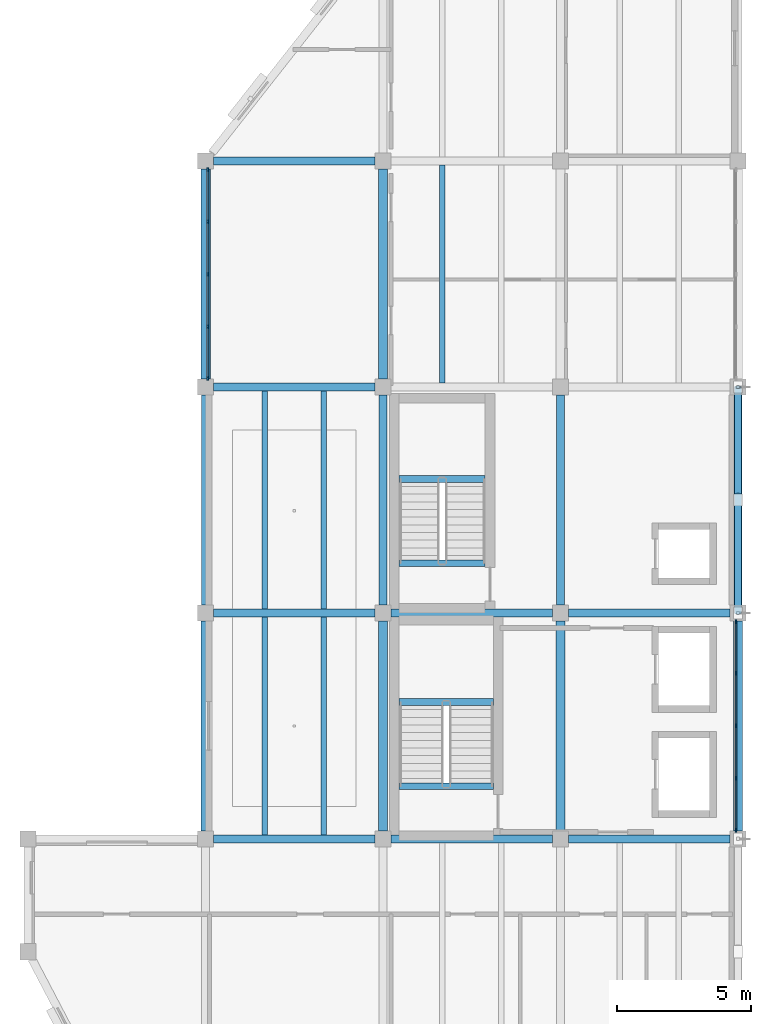
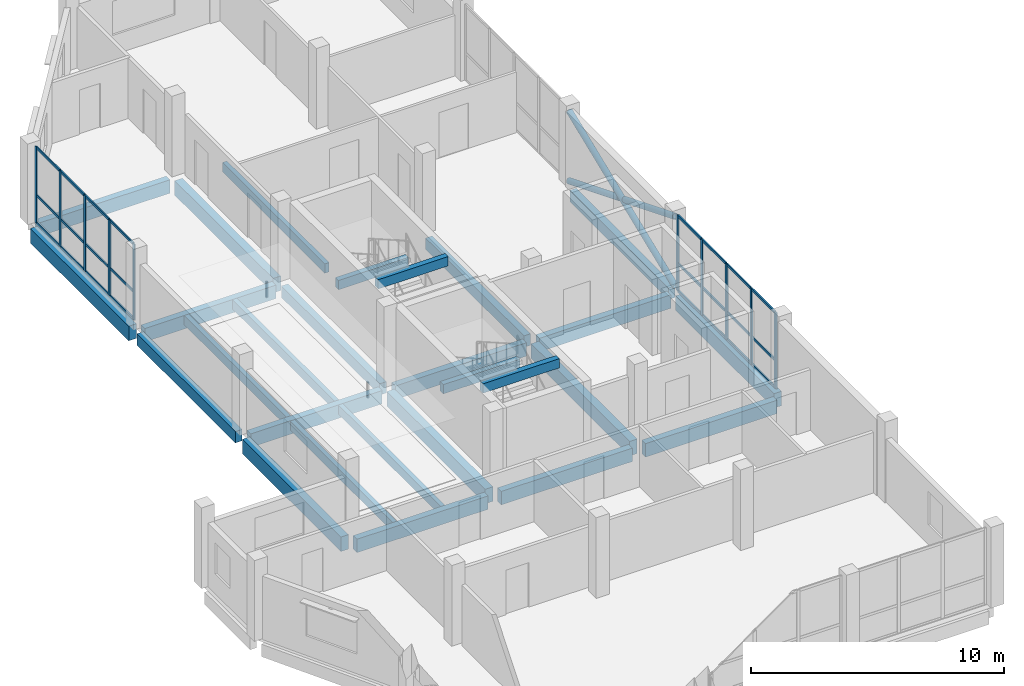
# One storey, part 3 of 12: 37 members, 27 beams, 2 elements without a shape of their own.
"""IFC4 building model written with IfcOpenShell, lengths in metres."""

from ifc_helpers import new_model, si_unit, direction, frame, origin, origin_2d, place, context, subcontext, project, spatial, rectangle, hollow_circle, extrude, material, material_profile, profile_set, type_object, element, aggregate, save


model = new_model("IFC4")

# Units and contexts
model_context = context("Model", 3, precision=1e-05, world=origin(), true_north=direction((0.0, 1.0)))
body_context = subcontext(model_context, "Body", "Model", "MODEL_VIEW")
ifc_project = project(units=[si_unit("LENGTHUNIT", "METRE"), si_unit("AREAUNIT", "SQUARE_METRE"), si_unit("VOLUMEUNIT", "CUBIC_METRE"), si_unit("PLANEANGLEUNIT", "RADIAN"), si_unit("MASSUNIT", "GRAM", prefix="KILO")], contexts=[model_context])

# Site, building, storey
site_placement = place(None, origin())
site = spatial("IfcSite", under=ifc_project, at=site_placement, CompositionType="ELEMENT")
building_placement = place(site_placement, origin())
building = spatial("IfcBuilding", under=site, at=building_placement, Name="Qaldarim Faculty of Natural and Applied Sciences", CompositionType="ELEMENT")
storey_placement = place(building_placement, frame((0.0, 0.0, 35.39990234375)))
storey = spatial("IfcBuildingStorey", under=building, at=storey_placement, Name="L08", CompositionType="ELEMENT", Elevation=35.39990234375)

# Beams
ifc_material_1 = material(Name="Concrete C40/50", Category="concrete")
ifc_material_profile_1 = material_profile(ifc_material_1, rectangle(XDim=0.300048828125, YDim=0.550048828125, at=origin_2d()), Name="RC-B300x550")
ifc_profile_set_1 = profile_set([ifc_material_profile_1], Name="Concrete C40/50")
beam_type_1 = type_object("IfcBeamType", Name="FloorBeam-RC300x550", PredefinedType="BEAM", material=ifc_profile_set_1)
for number, where, z_axis, x_axis, name in (
    (1, (158.39990234375, 25.5, -0.494873046875), (0.0, 1.0, 0.0), (-1.0, 0.0, 0.0), "Beam RC-B300x550 L07 X25/Y04-Y05"),
    (2, (165.0, 25.5, -0.494873046875), (0.0, 1.0, 0.0), (-1.0, 0.0, 0.0), "Beam RC-B300x550 L07 X26/Y04-Y05"),
    (3, (171.60009765625, 25.5, -0.494873046875), (0.0, 1.0, 0.0), (-1.0, 0.0, 0.0), "Beam RC-B300x550 L07 X27/Y04-Y05"),
    (4, (178.199951171875, 25.5, -0.494873046875), (0.0, 1.0, 0.0), (-1.0, 0.0, 0.0), "Beam RC-B300x550 L07 X28/Y04-Y05"),
):
    element("IfcBeam", number, at=place(storey_placement, frame(where, z_axis=z_axis, x_axis=x_axis)), inside=storey, type_object=beam_type_1, Name=name, PredefinedType="BEAM", context=body_context, shape_type="SweptSolid", body=[
        extrude(rectangle(XDim=0.300048828125, YDim=0.550048828125, at=origin_2d()), origin(), (0.0, 0.0, 1.0), 7.800048828125),
    ])
ifc_material_profile_2 = material_profile(ifc_material_1, rectangle(XDim=0.199951171875, YDim=0.449951171875, at=origin_2d()), Name="RC-J200x450")
ifc_profile_set_2 = profile_set([ifc_material_profile_2], Name="Concrete C40/50")
beam_type_2 = type_object("IfcBeamType", Name="LabJoist-RC200x450", PredefinedType="JOIST", material=ifc_profile_set_2)
for number, where, z_axis, x_axis, name in (
    (5, (160.60009765625, 16.949951171875, -0.44482421875), (0.0, 1.0, 0.0), (-1.0, 0.0, 0.0), "Laboratory joist L07 bay X25Y03-1"),
    (6, (162.800048828125, 16.949951171875, -0.44482421875), (0.0, 1.0, 0.0), (-1.0, 0.0, 0.0), "Laboratory joist L07 bay X25Y03-2"),
):
    element("IfcBeam", number, at=place(storey_placement, frame(where, z_axis=z_axis, x_axis=x_axis)), inside=storey, type_object=beam_type_2, Name=name, PredefinedType="JOIST", context=body_context, shape_type="SweptSolid", body=[
        extrude(rectangle(XDim=0.199951171875, YDim=0.449951171875, at=origin_2d()), origin(), (0.0, 0.0, 1.0), 8.10009765625),
    ])
for number, where, z_axis, x_axis, name in (
    (7, (160.60009765625, 25.35009765625, -0.44482421875), (0.0, 1.0, 0.0), (-1.0, 0.0, 0.0), "Laboratory joist L07 bay X25Y04-1"),
    (8, (162.800048828125, 25.35009765625, -0.44482421875), (0.0, 1.0, 0.0), (-1.0, 0.0, 0.0), "Laboratory joist L07 bay X25Y04-2"),
):
    element("IfcBeam", number, at=place(storey_placement, frame(where, z_axis=z_axis, x_axis=x_axis)), inside=storey, type_object=beam_type_2, Name=name, PredefinedType="JOIST", context=body_context, shape_type="SweptSolid", body=[
        extrude(rectangle(XDim=0.199951171875, YDim=0.449951171875, at=origin_2d()), origin(), (0.0, 0.0, 1.0), 8.099853515625),
    ])
beam_1_placement = place(storey_placement, frame((167.199951171875, 33.75, -0.44482421875), z_axis=(0.0, 1.0, 0.0), x_axis=(-1.0, 0.0, 0.0)))
element("IfcBeam", 9, at=beam_1_placement, inside=storey, type_object=beam_type_2, Name="Laboratory joist L07 bay X26Y05-1", PredefinedType="JOIST", context=body_context, shape_type="SweptSolid", body=[
    extrude(rectangle(XDim=0.199951171875, YDim=0.449951171875, at=origin_2d()), origin(), (0.0, 0.0, 1.0), 8.10009765625),
])
ifc_material_profile_3 = material_profile(ifc_material_1, rectangle(XDim=0.25, YDim=0.449951171875, at=origin_2d()), Name="RC-LN250x450")
ifc_profile_set_3 = profile_set([ifc_material_profile_3], Name="Concrete C40/50")
beam_type_3 = type_object("IfcBeamType", Name="LandingSupportBeam-RC250x450", PredefinedType="BEAM", material=ifc_profile_set_3)
for number, where, z_axis, x_axis, name in (
    (10, (165.60009765625, 21.885009765625, 1.51513671875), (1.0, 0.0, 0.0), (0.0, 1.0, 0.0), "Stair landing support beam ST-A1 L08"),
    (11, (165.60009765625, 18.75, 3.455078125), (1.0, 0.0, 0.0), (0.0, 1.0, 0.0), "Stair arrival support beam ST-A1 L08"),
):
    element("IfcBeam", number, at=place(storey_placement, frame(where, z_axis=z_axis, x_axis=x_axis)), inside=storey, type_object=beam_type_3, Name=name, PredefinedType="BEAM", context=body_context, shape_type="SweptSolid", body=[
        extrude(rectangle(XDim=0.25, YDim=0.449951171875, at=origin_2d()), origin(), (0.0, 0.0, 1.0), 3.5),
    ])
for number, where, z_axis, x_axis, name in (
    (12, (165.60009765625, 30.18505859375, 1.51513671875), (1.0, 0.0, 0.0), (0.0, 1.0, 0.0), "Stair landing support beam ST-A2 L08"),
    (13, (165.60009765625, 27.050048828125, 3.455078125), (1.0, 0.0, 0.0), (0.0, 1.0, 0.0), "Stair arrival support beam ST-A2 L08"),
):
    element("IfcBeam", number, at=place(storey_placement, frame(where, z_axis=z_axis, x_axis=x_axis)), inside=storey, type_object=beam_type_3, Name=name, PredefinedType="BEAM", context=body_context, shape_type="SweptSolid", body=[
        extrude(rectangle(XDim=0.25, YDim=0.449951171875, at=origin_2d()), origin(), (0.0, 0.0, 1.0), 3.199951171875),
    ])

# Curtain wall, members
ifc_material_2 = material(Name="Anodised aluminium AW-6063", Category="aluminium")
curtain_wall_type = type_object("IfcCurtainWallType", Name="CurtainWallSystem-M1800", PredefinedType="USERDEFINED", material=ifc_material_2)
curtain_wall_1_placement = place(storey_placement, origin())
curtain_wall_1 = element("IfcCurtainWall", 14, at=curtain_wall_1_placement, inside=storey, type_object=curtain_wall_type, Name="Curtain wall CW-L08-W-X25Y05", ObjectType="UNITISED FACADE", PredefinedType="USERDEFINED")
ifc_material_profile_4 = material_profile(ifc_material_2, rectangle(XDim=0.06005859375, YDim=0.14990234375, at=origin_2d()), Name="ALU-M60x150")
ifc_profile_set_4 = profile_set([ifc_material_profile_4], Name="Anodised aluminium AW-6063")
member_type_1 = type_object("IfcMemberType", Name="Mullion-ALU60x150", PredefinedType="MULLION", material=ifc_profile_set_4)
member_1_placement = place(storey_placement, frame((158.47998046875, 41.675048828125, 0.0), z_axis=(0.0, 0.0, 1.0), x_axis=(1.0, 0.0, 0.0)))
member_1 = element("IfcMember", 15, at=member_1_placement, type_object=member_type_1, Name="Mullion 1 of CW-L08-W-X25Y05", PredefinedType="MULLION", context=body_context, shape_type="SweptSolid", body=[
    extrude(rectangle(XDim=0.06005859375, YDim=0.14990234375, at=origin_2d()), origin(), (0.0, 0.0, 1.0), 3.68017578125),
])
member_2_placement = place(storey_placement, frame((158.47998046875, 39.75244140625, 0.0), z_axis=(0.0, 0.0, 1.0), x_axis=(1.0, 0.0, 0.0)))
member_2 = element("IfcMember", 16, at=member_2_placement, type_object=member_type_1, Name="Mullion 2 of CW-L08-W-X25Y05", PredefinedType="MULLION", context=body_context, shape_type="SweptSolid", body=[
    extrude(rectangle(XDim=0.06005859375, YDim=0.14990234375, at=origin_2d()), origin(), (0.0, 0.0, 1.0), 3.68017578125),
])
member_3_placement = place(storey_placement, frame((158.47998046875, 37.800048828125, 0.0), z_axis=(0.0, 0.0, 1.0), x_axis=(1.0, 0.0, 0.0)))
member_3 = element("IfcMember", 17, at=member_3_placement, type_object=member_type_1, Name="Mullion 3 of CW-L08-W-X25Y05", PredefinedType="MULLION", context=body_context, shape_type="SweptSolid", body=[
    extrude(rectangle(XDim=0.06005859375, YDim=0.14990234375, at=origin_2d()), origin(), (0.0, 0.0, 1.0), 3.68017578125),
])
member_4_placement = place(storey_placement, frame((158.47998046875, 35.847412109375, 0.0), z_axis=(0.0, 0.0, 1.0), x_axis=(1.0, 0.0, 0.0)))
member_4 = element("IfcMember", 18, at=member_4_placement, type_object=member_type_1, Name="Mullion 4 of CW-L08-W-X25Y05", PredefinedType="MULLION", context=body_context, shape_type="SweptSolid", body=[
    extrude(rectangle(XDim=0.06005859375, YDim=0.14990234375, at=origin_2d()), origin(), (0.0, 0.0, 1.0), 3.68017578125),
])
member_5_placement = place(storey_placement, frame((158.47998046875, 33.925048828125, 0.0), z_axis=(0.0, 0.0, 1.0), x_axis=(1.0, 0.0, 0.0)))
member_5 = element("IfcMember", 19, at=member_5_placement, type_object=member_type_1, Name="Mullion 5 of CW-L08-W-X25Y05", PredefinedType="MULLION", context=body_context, shape_type="SweptSolid", body=[
    extrude(rectangle(XDim=0.06005859375, YDim=0.14990234375, at=origin_2d()), origin(), (0.0, 0.0, 1.0), 3.68017578125),
])

curtain_wall_2_placement = place(storey_placement, origin())
curtain_wall_2 = element("IfcCurtainWall", 20, at=curtain_wall_2_placement, inside=storey, type_object=curtain_wall_type, Name="Curtain wall CW-L08-E-X27Y03", ObjectType="UNITISED FACADE", PredefinedType="USERDEFINED")
member_6_placement = place(storey_placement, frame((178.1201171875, 17.125, 0.0), z_axis=(0.0, 0.0, 1.0), x_axis=(-1.0, 0.0, 0.0)))
member_6 = element("IfcMember", 21, at=member_6_placement, type_object=member_type_1, Name="Mullion 1 of CW-L08-E-X27Y03", PredefinedType="MULLION", context=body_context, shape_type="SweptSolid", body=[
    extrude(rectangle(XDim=0.06005859375, YDim=0.14990234375, at=origin_2d()), origin(), (0.0, 0.0, 1.0), 3.68017578125),
])
member_7_placement = place(storey_placement, frame((178.1201171875, 19.047607421875, 0.0), z_axis=(0.0, 0.0, 1.0), x_axis=(-1.0, 0.0, 0.0)))
member_7 = element("IfcMember", 22, at=member_7_placement, type_object=member_type_1, Name="Mullion 2 of CW-L08-E-X27Y03", PredefinedType="MULLION", context=body_context, shape_type="SweptSolid", body=[
    extrude(rectangle(XDim=0.06005859375, YDim=0.14990234375, at=origin_2d()), origin(), (0.0, 0.0, 1.0), 3.68017578125),
])
member_8_placement = place(storey_placement, frame((178.1201171875, 21.0, 0.0), z_axis=(0.0, 0.0, 1.0), x_axis=(-1.0, 0.0, 0.0)))
member_8 = element("IfcMember", 23, at=member_8_placement, type_object=member_type_1, Name="Mullion 3 of CW-L08-E-X27Y03", PredefinedType="MULLION", context=body_context, shape_type="SweptSolid", body=[
    extrude(rectangle(XDim=0.06005859375, YDim=0.14990234375, at=origin_2d()), origin(), (0.0, 0.0, 1.0), 3.68017578125),
])
member_9_placement = place(storey_placement, frame((178.1201171875, 22.952392578125, 0.0), z_axis=(0.0, 0.0, 1.0), x_axis=(-1.0, 0.0, 0.0)))
member_9 = element("IfcMember", 24, at=member_9_placement, type_object=member_type_1, Name="Mullion 4 of CW-L08-E-X27Y03", PredefinedType="MULLION", context=body_context, shape_type="SweptSolid", body=[
    extrude(rectangle(XDim=0.06005859375, YDim=0.14990234375, at=origin_2d()), origin(), (0.0, 0.0, 1.0), 3.68017578125),
])
member_10_placement = place(storey_placement, frame((178.1201171875, 24.875, 0.0), z_axis=(0.0, 0.0, 1.0), x_axis=(-1.0, 0.0, 0.0)))
member_10 = element("IfcMember", 25, at=member_10_placement, type_object=member_type_1, Name="Mullion 5 of CW-L08-E-X27Y03", PredefinedType="MULLION", context=body_context, shape_type="SweptSolid", body=[
    extrude(rectangle(XDim=0.06005859375, YDim=0.14990234375, at=origin_2d()), origin(), (0.0, 0.0, 1.0), 3.68017578125),
])

# Members
ifc_material_3 = material(Name="Structural steel S355", Category="steel")
ifc_material_profile_5 = material_profile(ifc_material_3, hollow_circle(Radius=0.136474609375, WallThickness=0.01611328125, at=origin_2d()), Name="CHS 273.0x16.0")
ifc_profile_set_5 = profile_set([ifc_material_profile_5], Name="Structural steel S355")
member_type_2 = type_object("IfcMemberType", Name="PortalBrace-CHS273x16", PredefinedType="BRACE", material=ifc_profile_set_5)
member_11_placement = place(storey_placement, frame((178.199951171875, 25.199951171875, 0.0), z_axis=(0.0, 0.927710467921, 0.373300532693), x_axis=(-1.0, 0.0, 0.0)))
element("IfcMember", 26, at=member_11_placement, inside=storey, type_object=member_type_2, Name="Upper east diagrid L08 primary brace L", PredefinedType="BRACE", context=body_context, shape_type="SweptSolid", body=[
    extrude(hollow_circle(Radius=0.136474609375, WallThickness=0.01611328125, at=origin_2d()), origin(), (0.0, 0.0, 1.0), 9.0546875),
])
for number, where, z_axis, x_axis, name in (
    (27, (178.199951171875, 33.60009765625, 0.0), (0.0, -0.927508042448, 0.373803198481), (1.0, 0.0, 0.0), "Upper east diagrid L08 split secondary lower brace R1"),
    (28, (178.199951171875, 29.195068359375, 1.77001953125), (0.0, -0.927508042448, 0.373803198481), (1.0, 0.0, 0.0), "Upper east diagrid L08 split secondary upper brace R2"),
):
    element("IfcMember", number, at=place(storey_placement, frame(where, z_axis=z_axis, x_axis=x_axis)), inside=storey, type_object=member_type_2, Name=name, PredefinedType="BRACE", context=body_context, shape_type="SweptSolid", body=[
        extrude(hollow_circle(Radius=0.136474609375, WallThickness=0.01611328125, at=origin_2d()), origin(), (0.0, 0.0, 1.0), 4.307373046875),
    ])

# Beams
ifc_material_profile_6 = material_profile(ifc_material_1, rectangle(XDim=0.300048828125, YDim=0.64990234375, at=origin_2d()), Name="RC-B300x650")
ifc_profile_set_6 = profile_set([ifc_material_profile_6], Name="Concrete C40/50")
beam_type_4 = type_object("IfcBeamType", Name="PrimaryBeam-RC300x650", PredefinedType="BEAM", material=ifc_profile_set_6)
for number, where, z_axis, x_axis, name in (
    (29, (158.699951171875, 16.800048828125, -0.544921875), (1.0, 0.0, 0.0), (0.0, 1.0, 0.0), "Beam RC-B300x650 L07 X25-X26/Y03"),
    (30, (165.300048828125, 16.800048828125, -0.544921875), (1.0, 0.0, 0.0), (0.0, 1.0, 0.0), "Beam RC-B300x650 L07 X26-X27/Y03"),
    (31, (171.89990234375, 16.800048828125, -0.544921875), (1.0, 0.0, 0.0), (0.0, 1.0, 0.0), "Beam RC-B300x650 L07 X27-X28/Y03"),
    (32, (158.699951171875, 25.199951171875, -0.544921875), (1.0, 0.0, 0.0), (0.0, 1.0, 0.0), "Beam RC-B300x650 L07 X25-X26/Y04"),
    (33, (165.300048828125, 25.199951171875, -0.544921875), (1.0, 0.0, 0.0), (0.0, 1.0, 0.0), "Beam RC-B300x650 L07 X26-X27/Y04"),
    (34, (171.89990234375, 25.199951171875, -0.544921875), (1.0, 0.0, 0.0), (0.0, 1.0, 0.0), "Beam RC-B300x650 L07 X27-X28/Y04"),
    (35, (158.699951171875, 33.60009765625, -0.544921875), (1.0, 0.0, 0.0), (0.0, 1.0, 0.0), "Beam RC-B300x650 L07 X25-X26/Y05"),
    (36, (158.699951171875, 42.0, -0.544921875), (1.0, 0.0, 0.0), (0.0, 1.0, 0.0), "Beam RC-B300x650 L07 X25-X26/Y06"),
):
    element("IfcBeam", number, at=place(storey_placement, frame(where, z_axis=z_axis, x_axis=x_axis)), inside=storey, type_object=beam_type_4, Name=name, PredefinedType="BEAM", context=body_context, shape_type="SweptSolid", body=[
        extrude(rectangle(XDim=0.300048828125, YDim=0.64990234375, at=origin_2d()), origin(), (0.0, 0.0, 1.0), 6.0),
    ])
ifc_material_profile_7 = material_profile(ifc_material_1, rectangle(XDim=0.35009765625, YDim=0.699951171875, at=origin_2d()), Name="RC-B350x700")
ifc_profile_set_7 = profile_set([ifc_material_profile_7], Name="Concrete C40/50")
beam_type_5 = type_object("IfcBeamType", Name="PrimaryGirder-RC350x700", PredefinedType="BEAM", material=ifc_profile_set_7)
beam_2_placement = place(storey_placement, frame((158.39990234375, 17.10009765625, -0.56982421875), z_axis=(0.0, 1.0, 0.0), x_axis=(-1.0, 0.0, 0.0)))
element("IfcBeam", 37, at=beam_2_placement, inside=storey, type_object=beam_type_5, Name="Beam RC-B350x700 L07 X25/Y03-Y04", PredefinedType="BEAM", context=body_context, shape_type="SweptSolid", body=[
    extrude(rectangle(XDim=0.35009765625, YDim=0.699951171875, at=origin_2d()), origin(), (0.0, 0.0, 1.0), 7.7998046875),
])
beam_3_placement = place(storey_placement, frame((158.39990234375, 33.89990234375, -0.56982421875), z_axis=(0.0, 1.0, 0.0), x_axis=(-1.0, 0.0, 0.0)))
element("IfcBeam", 38, at=beam_3_placement, inside=storey, type_object=beam_type_5, Name="Beam RC-B350x700 L07 X25/Y05-Y06", PredefinedType="BEAM", context=body_context, shape_type="SweptSolid", body=[
    extrude(rectangle(XDim=0.35009765625, YDim=0.699951171875, at=origin_2d()), origin(), (0.0, 0.0, 1.0), 7.800048828125),
])
beam_4_placement = place(storey_placement, frame((165.0, 17.10009765625, -0.56982421875), z_axis=(0.0, 1.0, 0.0), x_axis=(-1.0, 0.0, 0.0)))
element("IfcBeam", 39, at=beam_4_placement, inside=storey, type_object=beam_type_5, Name="Beam RC-B350x700 L07 X26/Y03-Y04", PredefinedType="BEAM", context=body_context, shape_type="SweptSolid", body=[
    extrude(rectangle(XDim=0.35009765625, YDim=0.699951171875, at=origin_2d()), origin(), (0.0, 0.0, 1.0), 7.7998046875),
])
beam_5_placement = place(storey_placement, frame((165.0, 33.89990234375, -0.56982421875), z_axis=(0.0, 1.0, 0.0), x_axis=(-1.0, 0.0, 0.0)))
element("IfcBeam", 40, at=beam_5_placement, inside=storey, type_object=beam_type_5, Name="Beam RC-B350x700 L07 X26/Y05-Y06", PredefinedType="BEAM", context=body_context, shape_type="SweptSolid", body=[
    extrude(rectangle(XDim=0.35009765625, YDim=0.699951171875, at=origin_2d()), origin(), (0.0, 0.0, 1.0), 7.800048828125),
])
for number, where, z_axis, x_axis, name in (
    (41, (171.60009765625, 17.10009765625, -0.56982421875), (0.0, 1.0, 0.0), (-1.0, 0.0, 0.0), "Beam RC-B350x700 L07 X27/Y03-Y04"),
    (42, (178.199951171875, 17.10009765625, -0.56982421875), (0.0, 1.0, 0.0), (-1.0, 0.0, 0.0), "Beam RC-B350x700 L07 X28/Y03-Y04"),
):
    element("IfcBeam", number, at=place(storey_placement, frame(where, z_axis=z_axis, x_axis=x_axis)), inside=storey, type_object=beam_type_5, Name=name, PredefinedType="BEAM", context=body_context, shape_type="SweptSolid", body=[
        extrude(rectangle(XDim=0.35009765625, YDim=0.699951171875, at=origin_2d()), origin(), (0.0, 0.0, 1.0), 7.7998046875),
    ])

# Member
ifc_material_profile_8 = material_profile(ifc_material_2, rectangle(XDim=0.06005859375, YDim=0.1201171875, at=origin_2d()), Name="ALU-T60x120")
ifc_profile_set_8 = profile_set([ifc_material_profile_8], Name="Anodised aluminium AW-6063")
member_type_3 = type_object("IfcMemberType", Name="Transom-ALU60x120", PredefinedType="USERDEFINED", material=ifc_profile_set_8)
member_12_placement = place(storey_placement, frame((158.47998046875, 41.64501953125, 0.030029296875), z_axis=(0.0, -1.0, 0.0), x_axis=(1.0, 0.0, 0.0)))
member_12 = element("IfcMember", 43, at=member_12_placement, type_object=member_type_3, Name="Transom 1-1 of CW-L08-W-X25Y05", ObjectType="TRANSOM", PredefinedType="USERDEFINED", context=body_context, shape_type="SweptSolid", body=[
    extrude(rectangle(XDim=0.06005859375, YDim=0.1201171875, at=origin_2d()), origin(), (0.0, 0.0, 1.0), 1.862548828125),
])

member_13_placement = place(storey_placement, frame((158.47998046875, 41.64501953125, 1.35009765625), z_axis=(0.0, -1.0, 0.0), x_axis=(1.0, 0.0, 0.0)))
member_13 = element("IfcMember", 44, at=member_13_placement, type_object=member_type_3, Name="Transom 1-2 of CW-L08-W-X25Y05", ObjectType="TRANSOM", PredefinedType="USERDEFINED", context=body_context, shape_type="SweptSolid", body=[
    extrude(rectangle(XDim=0.06005859375, YDim=0.1201171875, at=origin_2d()), origin(), (0.0, 0.0, 1.0), 1.862548828125),
])

member_14_placement = place(storey_placement, frame((158.47998046875, 41.64501953125, 3.650146484375), z_axis=(0.0, -1.0, 0.0), x_axis=(1.0, 0.0, 0.0)))
member_14 = element("IfcMember", 45, at=member_14_placement, type_object=member_type_3, Name="Transom 1-3 of CW-L08-W-X25Y05", ObjectType="TRANSOM", PredefinedType="USERDEFINED", context=body_context, shape_type="SweptSolid", body=[
    extrude(rectangle(XDim=0.06005859375, YDim=0.1201171875, at=origin_2d()), origin(), (0.0, 0.0, 1.0), 1.862548828125),
])

member_15_placement = place(storey_placement, frame((158.47998046875, 39.722412109375, 0.030029296875), z_axis=(0.0, -1.0, 0.0), x_axis=(1.0, 0.0, 0.0)))
member_15 = element("IfcMember", 46, at=member_15_placement, type_object=member_type_3, Name="Transom 2-1 of CW-L08-W-X25Y05", ObjectType="TRANSOM", PredefinedType="USERDEFINED", context=body_context, shape_type="SweptSolid", body=[
    extrude(rectangle(XDim=0.06005859375, YDim=0.1201171875, at=origin_2d()), origin(), (0.0, 0.0, 1.0), 1.892333984375),
])

member_16_placement = place(storey_placement, frame((158.47998046875, 39.722412109375, 1.35009765625), z_axis=(0.0, -1.0, 0.0), x_axis=(1.0, 0.0, 0.0)))
member_16 = element("IfcMember", 47, at=member_16_placement, type_object=member_type_3, Name="Transom 2-2 of CW-L08-W-X25Y05", ObjectType="TRANSOM", PredefinedType="USERDEFINED", context=body_context, shape_type="SweptSolid", body=[
    extrude(rectangle(XDim=0.06005859375, YDim=0.1201171875, at=origin_2d()), origin(), (0.0, 0.0, 1.0), 1.892333984375),
])

member_17_placement = place(storey_placement, frame((158.47998046875, 39.722412109375, 3.650146484375), z_axis=(0.0, -1.0, 0.0), x_axis=(1.0, 0.0, 0.0)))
member_17 = element("IfcMember", 48, at=member_17_placement, type_object=member_type_3, Name="Transom 2-3 of CW-L08-W-X25Y05", ObjectType="TRANSOM", PredefinedType="USERDEFINED", context=body_context, shape_type="SweptSolid", body=[
    extrude(rectangle(XDim=0.06005859375, YDim=0.1201171875, at=origin_2d()), origin(), (0.0, 0.0, 1.0), 1.892333984375),
])

member_18_placement = place(storey_placement, frame((158.47998046875, 37.77001953125, 0.030029296875), z_axis=(0.0, -1.0, 0.0), x_axis=(1.0, 0.0, 0.0)))
member_18 = element("IfcMember", 49, at=member_18_placement, type_object=member_type_3, Name="Transom 3-1 of CW-L08-W-X25Y05", ObjectType="TRANSOM", PredefinedType="USERDEFINED", context=body_context, shape_type="SweptSolid", body=[
    extrude(rectangle(XDim=0.06005859375, YDim=0.1201171875, at=origin_2d()), origin(), (0.0, 0.0, 1.0), 1.892578125),
])

member_19_placement = place(storey_placement, frame((158.47998046875, 37.77001953125, 1.35009765625), z_axis=(0.0, -1.0, 0.0), x_axis=(1.0, 0.0, 0.0)))
member_19 = element("IfcMember", 50, at=member_19_placement, type_object=member_type_3, Name="Transom 3-2 of CW-L08-W-X25Y05", ObjectType="TRANSOM", PredefinedType="USERDEFINED", context=body_context, shape_type="SweptSolid", body=[
    extrude(rectangle(XDim=0.06005859375, YDim=0.1201171875, at=origin_2d()), origin(), (0.0, 0.0, 1.0), 1.892578125),
])

member_20_placement = place(storey_placement, frame((158.47998046875, 37.77001953125, 3.650146484375), z_axis=(0.0, -1.0, 0.0), x_axis=(1.0, 0.0, 0.0)))
member_20 = element("IfcMember", 51, at=member_20_placement, type_object=member_type_3, Name="Transom 3-3 of CW-L08-W-X25Y05", ObjectType="TRANSOM", PredefinedType="USERDEFINED", context=body_context, shape_type="SweptSolid", body=[
    extrude(rectangle(XDim=0.06005859375, YDim=0.1201171875, at=origin_2d()), origin(), (0.0, 0.0, 1.0), 1.892578125),
])

member_21_placement = place(storey_placement, frame((158.47998046875, 35.8173828125, 0.030029296875), z_axis=(0.0, -1.0, 0.0), x_axis=(1.0, 0.0, 0.0)))
member_21 = element("IfcMember", 52, at=member_21_placement, type_object=member_type_3, Name="Transom 4-1 of CW-L08-W-X25Y05", ObjectType="TRANSOM", PredefinedType="USERDEFINED", context=body_context, shape_type="SweptSolid", body=[
    extrude(rectangle(XDim=0.06005859375, YDim=0.1201171875, at=origin_2d()), origin(), (0.0, 0.0, 1.0), 1.8623046875),
])

member_22_placement = place(storey_placement, frame((158.47998046875, 35.8173828125, 1.35009765625), z_axis=(0.0, -1.0, 0.0), x_axis=(1.0, 0.0, 0.0)))
member_22 = element("IfcMember", 53, at=member_22_placement, type_object=member_type_3, Name="Transom 4-2 of CW-L08-W-X25Y05", ObjectType="TRANSOM", PredefinedType="USERDEFINED", context=body_context, shape_type="SweptSolid", body=[
    extrude(rectangle(XDim=0.06005859375, YDim=0.1201171875, at=origin_2d()), origin(), (0.0, 0.0, 1.0), 1.8623046875),
])

member_23_placement = place(storey_placement, frame((158.47998046875, 35.8173828125, 3.650146484375), z_axis=(0.0, -1.0, 0.0), x_axis=(1.0, 0.0, 0.0)))
member_23 = element("IfcMember", 54, at=member_23_placement, type_object=member_type_3, Name="Transom 4-3 of CW-L08-W-X25Y05", ObjectType="TRANSOM", PredefinedType="USERDEFINED", context=body_context, shape_type="SweptSolid", body=[
    extrude(rectangle(XDim=0.06005859375, YDim=0.1201171875, at=origin_2d()), origin(), (0.0, 0.0, 1.0), 1.8623046875),
])

aggregate(curtain_wall_1, [member_1, member_2, member_3, member_4, member_5, member_12, member_13, member_14, member_15, member_16, member_17, member_18, member_19, member_20, member_21, member_22, member_23])

member_24_placement = place(storey_placement, frame((178.1201171875, 17.155029296875, 0.030029296875), z_axis=(0.0, 1.0, 0.0), x_axis=(-1.0, 0.0, 0.0)))
member_24 = element("IfcMember", 55, at=member_24_placement, type_object=member_type_3, Name="Transom 1-1 of CW-L08-E-X27Y03", ObjectType="TRANSOM", PredefinedType="USERDEFINED", context=body_context, shape_type="SweptSolid", body=[
    extrude(rectangle(XDim=0.06005859375, YDim=0.1201171875, at=origin_2d()), origin(), (0.0, 0.0, 1.0), 1.862548828125),
])

member_25_placement = place(storey_placement, frame((178.1201171875, 17.155029296875, 1.35009765625), z_axis=(0.0, 1.0, 0.0), x_axis=(-1.0, 0.0, 0.0)))
member_25 = element("IfcMember", 56, at=member_25_placement, type_object=member_type_3, Name="Transom 1-2 of CW-L08-E-X27Y03", ObjectType="TRANSOM", PredefinedType="USERDEFINED", context=body_context, shape_type="SweptSolid", body=[
    extrude(rectangle(XDim=0.06005859375, YDim=0.1201171875, at=origin_2d()), origin(), (0.0, 0.0, 1.0), 1.862548828125),
])

member_26_placement = place(storey_placement, frame((178.1201171875, 17.155029296875, 3.650146484375), z_axis=(0.0, 1.0, 0.0), x_axis=(-1.0, 0.0, 0.0)))
member_26 = element("IfcMember", 57, at=member_26_placement, type_object=member_type_3, Name="Transom 1-3 of CW-L08-E-X27Y03", ObjectType="TRANSOM", PredefinedType="USERDEFINED", context=body_context, shape_type="SweptSolid", body=[
    extrude(rectangle(XDim=0.06005859375, YDim=0.1201171875, at=origin_2d()), origin(), (0.0, 0.0, 1.0), 1.862548828125),
])

member_27_placement = place(storey_placement, frame((178.1201171875, 19.077392578125, 0.030029296875), z_axis=(0.0, 1.0, 0.0), x_axis=(-1.0, 0.0, 0.0)))
member_27 = element("IfcMember", 58, at=member_27_placement, type_object=member_type_3, Name="Transom 2-1 of CW-L08-E-X27Y03", ObjectType="TRANSOM", PredefinedType="USERDEFINED", context=body_context, shape_type="SweptSolid", body=[
    extrude(rectangle(XDim=0.06005859375, YDim=0.1201171875, at=origin_2d()), origin(), (0.0, 0.0, 1.0), 1.892578125),
])

member_28_placement = place(storey_placement, frame((178.1201171875, 19.077392578125, 1.35009765625), z_axis=(0.0, 1.0, 0.0), x_axis=(-1.0, 0.0, 0.0)))
member_28 = element("IfcMember", 59, at=member_28_placement, type_object=member_type_3, Name="Transom 2-2 of CW-L08-E-X27Y03", ObjectType="TRANSOM", PredefinedType="USERDEFINED", context=body_context, shape_type="SweptSolid", body=[
    extrude(rectangle(XDim=0.06005859375, YDim=0.1201171875, at=origin_2d()), origin(), (0.0, 0.0, 1.0), 1.892578125),
])

member_29_placement = place(storey_placement, frame((178.1201171875, 19.077392578125, 3.650146484375), z_axis=(0.0, 1.0, 0.0), x_axis=(-1.0, 0.0, 0.0)))
member_29 = element("IfcMember", 60, at=member_29_placement, type_object=member_type_3, Name="Transom 2-3 of CW-L08-E-X27Y03", ObjectType="TRANSOM", PredefinedType="USERDEFINED", context=body_context, shape_type="SweptSolid", body=[
    extrude(rectangle(XDim=0.06005859375, YDim=0.1201171875, at=origin_2d()), origin(), (0.0, 0.0, 1.0), 1.892578125),
])

member_30_placement = place(storey_placement, frame((178.1201171875, 21.030029296875, 0.030029296875), z_axis=(0.0, 1.0, 0.0), x_axis=(-1.0, 0.0, 0.0)))
member_30 = element("IfcMember", 61, at=member_30_placement, type_object=member_type_3, Name="Transom 3-1 of CW-L08-E-X27Y03", ObjectType="TRANSOM", PredefinedType="USERDEFINED", context=body_context, shape_type="SweptSolid", body=[
    extrude(rectangle(XDim=0.06005859375, YDim=0.1201171875, at=origin_2d()), origin(), (0.0, 0.0, 1.0), 1.892578125),
])

member_31_placement = place(storey_placement, frame((178.1201171875, 21.030029296875, 1.35009765625), z_axis=(0.0, 1.0, 0.0), x_axis=(-1.0, 0.0, 0.0)))
member_31 = element("IfcMember", 62, at=member_31_placement, type_object=member_type_3, Name="Transom 3-2 of CW-L08-E-X27Y03", ObjectType="TRANSOM", PredefinedType="USERDEFINED", context=body_context, shape_type="SweptSolid", body=[
    extrude(rectangle(XDim=0.06005859375, YDim=0.1201171875, at=origin_2d()), origin(), (0.0, 0.0, 1.0), 1.892578125),
])

member_32_placement = place(storey_placement, frame((178.1201171875, 21.030029296875, 3.650146484375), z_axis=(0.0, 1.0, 0.0), x_axis=(-1.0, 0.0, 0.0)))
member_32 = element("IfcMember", 63, at=member_32_placement, type_object=member_type_3, Name="Transom 3-3 of CW-L08-E-X27Y03", ObjectType="TRANSOM", PredefinedType="USERDEFINED", context=body_context, shape_type="SweptSolid", body=[
    extrude(rectangle(XDim=0.06005859375, YDim=0.1201171875, at=origin_2d()), origin(), (0.0, 0.0, 1.0), 1.892578125),
])

member_33_placement = place(storey_placement, frame((178.1201171875, 22.982421875, 0.030029296875), z_axis=(0.0, 1.0, 0.0), x_axis=(-1.0, 0.0, 0.0)))
member_33 = element("IfcMember", 64, at=member_33_placement, type_object=member_type_3, Name="Transom 4-1 of CW-L08-E-X27Y03", ObjectType="TRANSOM", PredefinedType="USERDEFINED", context=body_context, shape_type="SweptSolid", body=[
    extrude(rectangle(XDim=0.06005859375, YDim=0.1201171875, at=origin_2d()), origin(), (0.0, 0.0, 1.0), 1.862548828125),
])

member_34_placement = place(storey_placement, frame((178.1201171875, 22.982421875, 1.35009765625), z_axis=(0.0, 1.0, 0.0), x_axis=(-1.0, 0.0, 0.0)))
member_34 = element("IfcMember", 65, at=member_34_placement, type_object=member_type_3, Name="Transom 4-2 of CW-L08-E-X27Y03", ObjectType="TRANSOM", PredefinedType="USERDEFINED", context=body_context, shape_type="SweptSolid", body=[
    extrude(rectangle(XDim=0.06005859375, YDim=0.1201171875, at=origin_2d()), origin(), (0.0, 0.0, 1.0), 1.862548828125),
])

member_35_placement = place(storey_placement, frame((178.1201171875, 22.982421875, 3.650146484375), z_axis=(0.0, 1.0, 0.0), x_axis=(-1.0, 0.0, 0.0)))
member_35 = element("IfcMember", 66, at=member_35_placement, type_object=member_type_3, Name="Transom 4-3 of CW-L08-E-X27Y03", ObjectType="TRANSOM", PredefinedType="USERDEFINED", context=body_context, shape_type="SweptSolid", body=[
    extrude(rectangle(XDim=0.06005859375, YDim=0.1201171875, at=origin_2d()), origin(), (0.0, 0.0, 1.0), 1.862548828125),
])

aggregate(curtain_wall_2, [member_6, member_7, member_8, member_9, member_10, member_24, member_25, member_26, member_27, member_28, member_29, member_30, member_31, member_32, member_33, member_34, member_35])

save(model, "model.ifc")
